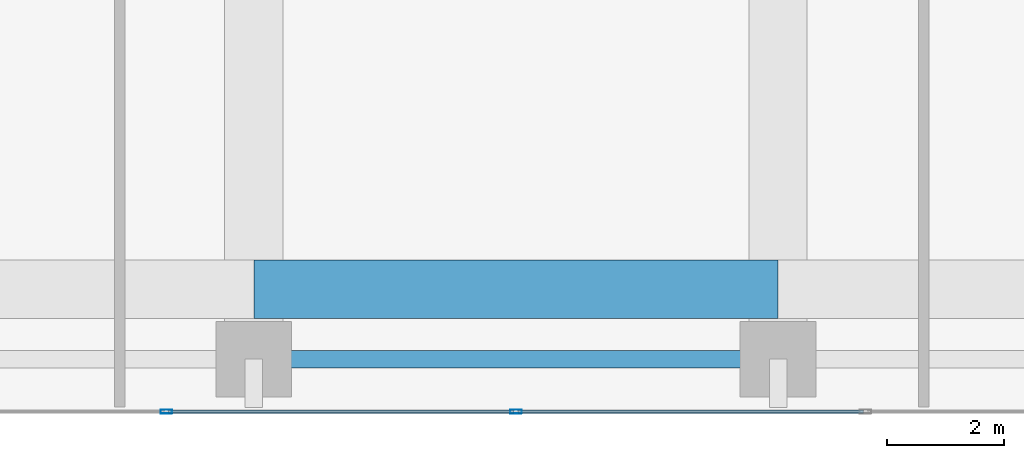
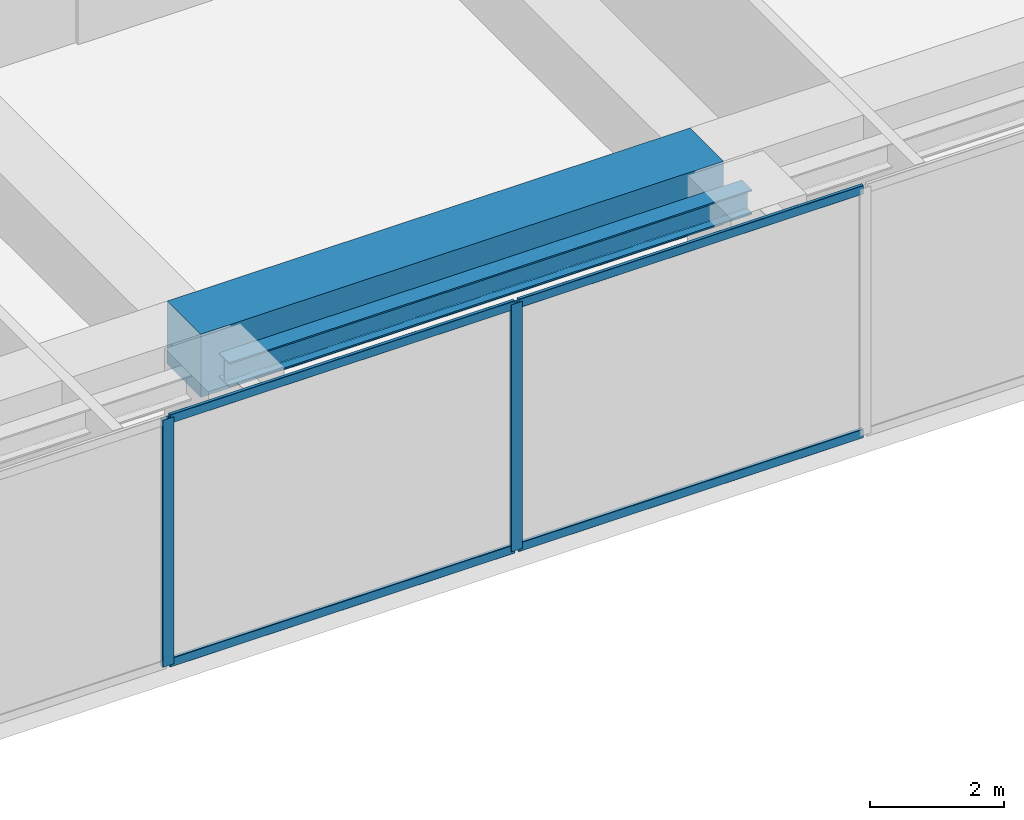
# One storey, part 6 of 35: 6 members, 2 beams, 1 element without a shape of its own.
"""IFC4 building model written with IfcOpenShell, lengths in metres."""

from ifc_helpers import new_model, si_unit, direction, frame, origin, origin_2d, place, context, subcontext, project, spatial, rectangle, hollow_rectangle, i_section, extrude, source, transform, mapped, material, layer, layer_set, material_profile, profile_set, type_object, element, aggregate, save


model = new_model("IFC4")

# Units and contexts
model_context = context("Model", 3, precision=1e-05, world=origin(), true_north=direction((0.0, 1.0)))
body_context = subcontext(model_context, "Body", "Model", "MODEL_VIEW")
ifc_project = project(units=[si_unit("LENGTHUNIT", "METRE"), si_unit("AREAUNIT", "SQUARE_METRE"), si_unit("VOLUMEUNIT", "CUBIC_METRE"), si_unit("PLANEANGLEUNIT", "RADIAN"), si_unit("MASSUNIT", "GRAM", prefix="KILO")], contexts=[model_context])

# Site, building, storey
site_placement = place(None, origin())
site = spatial("IfcSite", under=ifc_project, at=site_placement, CompositionType="ELEMENT")
building_placement = place(site_placement, origin())
building = spatial("IfcBuilding", under=site, at=building_placement, Name="Serunith Strait Residences", CompositionType="ELEMENT")
storey_placement = place(building_placement, frame((0.0, 0.0, 115.199951171875)))
storey = spatial("IfcBuildingStorey", under=building, at=storey_placement, Name="L28", CompositionType="ELEMENT", Elevation=115.199951171875)

# Beams
ifc_material_1 = material(Name="Steel S355J2", Category="steel")
ifc_material_profile_1 = material_profile(ifc_material_1, i_section(OverallWidth=0.300048828125, OverallDepth=0.449951171875, WebThickness=0.013916015625, FlangeThickness=0.02587890625, FilletRadius=0.027099609375, at=origin_2d()), Name="HEB 450")
ifc_profile_set_1 = profile_set([ifc_material_profile_1], Name="Steel S355J2")
beam_type_1 = type_object("IfcBeamType", Name="BM-HEB450", PredefinedType="BEAM", material=ifc_profile_set_1)
shared_shape_1 = source(origin(), body_context, "Body", "SweptSolid", [
    extrude(i_section(OverallWidth=0.300048828125, OverallDepth=0.449951171875, WebThickness=0.013916015625, FlangeThickness=0.02587890625, FilletRadius=0.027099609375, at=origin_2d()), origin(), (0.0, 0.0, 1.0), 9.0),
])
beam_1_placement = place(storey_placement, frame((27.89990234375, 1.10009765625, 4.281982421875), z_axis=(1.0, 0.0, 0.0), x_axis=(0.0, 1.0, 0.0)))
element("IfcBeam", 1, at=beam_1_placement, inside=storey, type_object=beam_type_1, Name="L28 Perimeter Ring Beam 02", PredefinedType="BEAM", context=body_context, shape_type="MappedRepresentation", body=[
    mapped(shared_shape_1, transform((0.0, 0.0, 0.0), scale=1.0)),
])
ifc_material_2 = material(Name="Concrete C80/95", Category="concrete")
ifc_material_profile_2 = material_profile(ifc_material_2, rectangle(XDim=1.0, YDim=1.14990234375, at=origin_2d()), Name="RC 1000x1150")
ifc_profile_set_2 = profile_set([ifc_material_profile_2], Name="Concrete C80/95")
beam_type_2 = type_object("IfcBeamType", Name="BM-XFER-1000x1150", PredefinedType="BEAM", material=ifc_profile_set_2)
shared_shape_2 = source(origin(), body_context, "Body", "SweptSolid", [
    extrude(rectangle(XDim=1.0, YDim=1.14990234375, at=origin_2d()), origin(), (0.0, 0.0, 1.0), 9.0),
])
beam_2_placement = place(storey_placement, frame((27.89990234375, 2.300048828125, 3.93505859375), z_axis=(1.0, 0.0, 0.0), x_axis=(0.0, 1.0, 0.0)))
element("IfcBeam", 2, at=beam_2_placement, inside=storey, type_object=beam_type_2, Name="L28 Flare Upper Ring Transfer Girder 02", PredefinedType="BEAM", context=body_context, shape_type="MappedRepresentation", body=[
    mapped(shared_shape_2, transform((0.0, 0.0, 0.0), scale=1.0)),
])

# Curtain wall, members
ifc_material_3 = material(Name="Pale-Champagne Anodised Aluminium", Category="aluminium")
ifc_layer = layer(ifc_material_3, 0.199951171875, Name="Pale-Champagne Anodised Aluminium")
ifc_layer_set = layer_set([ifc_layer], Name="Pale-Champagne Anodised Aluminium")
curtain_wall_type = type_object("IfcCurtainWallType", Name="CW-SYS1", PredefinedType="NOTDEFINED", material=ifc_layer_set)
curtain_wall_placement = place(storey_placement, origin())
curtain_wall = element("IfcCurtainWall", 3, at=curtain_wall_placement, inside=storey, type_object=curtain_wall_type, Name="L28 S Unitised Fritted Curtain Wall", PredefinedType="NOTDEFINED")
ifc_material_profile_3 = material_profile(ifc_material_3, hollow_rectangle(XDim=0.06005859375, YDim=0.159912109375, WallThickness=0.00341796875, InnerFilletRadius=0.00537109375, OuterFilletRadius=0.0087890625, at=origin_2d()), Name="ALU 160x60x3.5")
ifc_profile_set_3 = profile_set([ifc_material_profile_3], Name="Pale-Champagne Anodised Aluminium")
member_type_1 = type_object("IfcMemberType", Name="CW-SYS1-TRAN", PredefinedType="USERDEFINED", material=ifc_profile_set_3)
shared_shape_3 = source(origin(), body_context, "Body", "SweptSolid", [
    extrude(hollow_rectangle(XDim=0.06005859375, YDim=0.159912109375, WallThickness=0.00341796875, InnerFilletRadius=0.00537109375, OuterFilletRadius=0.0087890625, at=origin_2d()), origin(), (0.0, 0.0, 1.0), 5.929931640625),
])
member_1_placement = place(storey_placement, frame((26.43505859375, 0.199951171875, 0.030029296875), z_axis=(1.0, 0.0, 0.0), x_axis=(0.0, 1.0, 0.0)))
member_1 = element("IfcMember", 4, at=member_1_placement, type_object=member_type_1, Name="CW-1 transom 3.1", ObjectType="TRANSOM", PredefinedType="USERDEFINED", context=body_context, shape_type="MappedRepresentation", body=[
    mapped(shared_shape_3, transform((0.0, 0.0, 0.0), scale=1.0)),
])
member_2_placement = place(storey_placement, frame((26.43505859375, 0.199951171875, 4.465087890625), z_axis=(1.0, 0.0, 0.0), x_axis=(0.0, 1.0, 0.0)))
member_2 = element("IfcMember", 5, at=member_2_placement, type_object=member_type_1, Name="CW-1 transom 3.2", ObjectType="TRANSOM", PredefinedType="USERDEFINED", context=body_context, shape_type="MappedRepresentation", body=[
    mapped(shared_shape_3, transform((0.0, 0.0, 0.0), scale=1.0)),
])
member_3_placement = place(storey_placement, frame((32.43505859375, 0.199951171875, 0.030029296875), z_axis=(1.0, 0.0, 0.0), x_axis=(0.0, 1.0, 0.0)))
member_3 = element("IfcMember", 6, at=member_3_placement, type_object=member_type_1, Name="CW-1 transom 4.1", ObjectType="TRANSOM", PredefinedType="USERDEFINED", context=body_context, shape_type="MappedRepresentation", body=[
    mapped(shared_shape_3, transform((0.0, 0.0, 0.0), scale=1.0)),
])
member_4_placement = place(storey_placement, frame((32.43505859375, 0.199951171875, 4.465087890625), z_axis=(1.0, 0.0, 0.0), x_axis=(0.0, 1.0, 0.0)))
member_4 = element("IfcMember", 7, at=member_4_placement, type_object=member_type_1, Name="CW-1 transom 4.2", ObjectType="TRANSOM", PredefinedType="USERDEFINED", context=body_context, shape_type="MappedRepresentation", body=[
    mapped(shared_shape_3, transform((0.0, 0.0, 0.0), scale=1.0)),
])
ifc_material_profile_4 = material_profile(ifc_material_3, hollow_rectangle(XDim=0.070068359375, YDim=0.199951171875, WallThickness=0.00390625, InnerFilletRadius=0.006103515625, OuterFilletRadius=0.010009765625, at=origin_2d()), Name="ALU 200x70x4")
ifc_profile_set_4 = profile_set([ifc_material_profile_4], Name="Pale-Champagne Anodised Aluminium")
member_type_2 = type_object("IfcMemberType", Name="CW-SYS1-MULL", PredefinedType="MULLION", material=ifc_profile_set_4)
shared_shape_4 = source(origin(), body_context, "Body", "SweptSolid", [
    extrude(hollow_rectangle(XDim=0.070068359375, YDim=0.199951171875, WallThickness=0.00390625, InnerFilletRadius=0.006103515625, OuterFilletRadius=0.010009765625, at=origin_2d()), origin(), (0.0, 0.0, 1.0), 4.4951171875),
])
member_5_placement = place(storey_placement, frame((26.39990234375, 0.199951171875, 0.0), z_axis=(0.0, 0.0, 1.0), x_axis=(0.0, 1.0, 0.0)))
member_5 = element("IfcMember", 8, at=member_5_placement, type_object=member_type_2, Name="CW-1 mullion 3", PredefinedType="MULLION", context=body_context, shape_type="MappedRepresentation", body=[
    mapped(shared_shape_4, transform((0.0, 0.0, 0.0), scale=1.0)),
])
member_6_placement = place(storey_placement, frame((32.39990234375, 0.199951171875, 0.0), z_axis=(0.0, 0.0, 1.0), x_axis=(0.0, 1.0, 0.0)))
member_6 = element("IfcMember", 9, at=member_6_placement, type_object=member_type_2, Name="CW-1 mullion 4", PredefinedType="MULLION", context=body_context, shape_type="MappedRepresentation", body=[
    mapped(shared_shape_4, transform((0.0, 0.0, 0.0), scale=1.0)),
])
aggregate(curtain_wall, [member_5, member_6, member_1, member_2, member_3, member_4])

save(model, "model.ifc")
